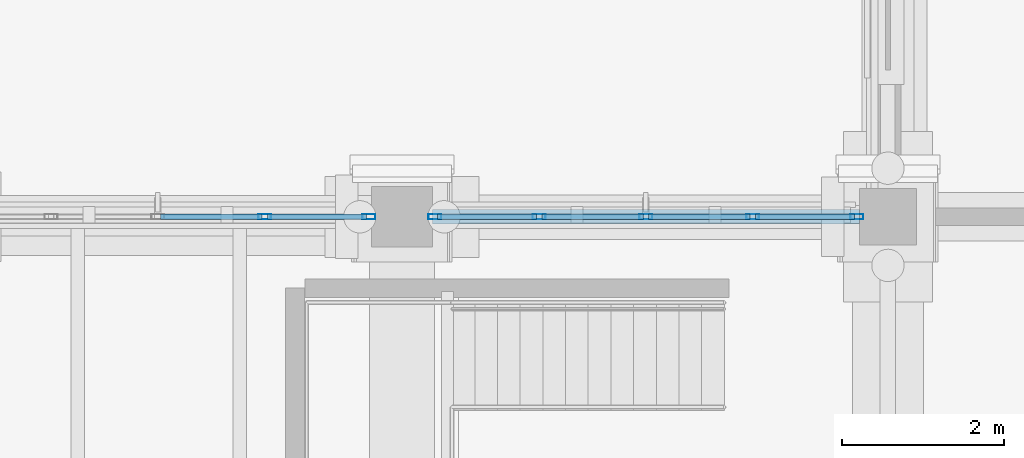
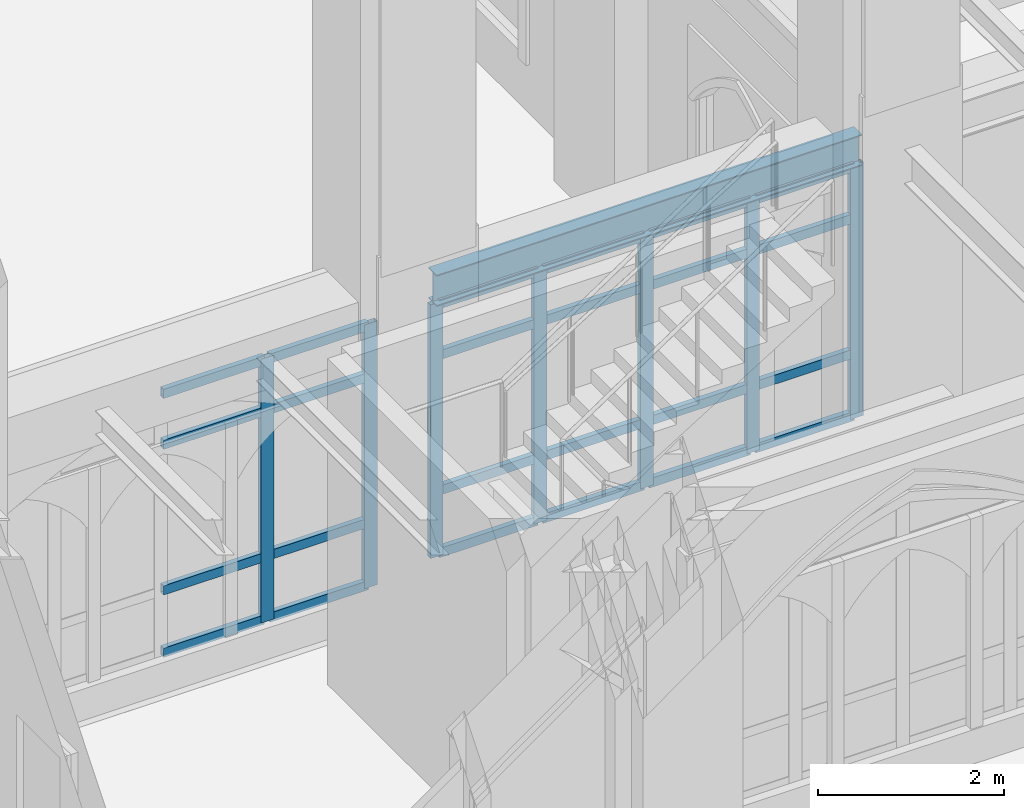
# One storey, part 29 of 135: 31 members, 1 beam, 2 elements without a shape of their own.
"""IFC4 building model written with IfcOpenShell, lengths in metres."""

import ifcopenshell
import ifcopenshell.guid

model = None  # the IFC model being written
_history = None  # IfcOwnerHistory: only IFC2X3 demands one
_inside = {}  # id of a spatial element -> (the spatial element, [elements in it])
_under = {}  # id of a project, library or spatial element -> (it, [spatial elements below it])
_declared = {}  # id of a project -> (the project, [libraries it declares])
_typed = {}  # id of a type object -> (the type object, [elements of that type])
_made_of = {}  # id of a material, layer set ... -> (it, [elements and type objects made of it])


def new_model(schema):
    """Start an empty IFC model of exactly this schema.

    Asked for "IFC4X3", IfcOpenShell would pick the latest addendum, in which some entities
    have other attributes; the version numbers below select the first issue.
    IFC2X3 requires an IfcOwnerHistory on every rooted entity: one is made here for all.
    """
    global model, _history
    if schema == "IFC4X3":
        model = ifcopenshell.file(schema_version=(4, 3, 0, 0))
    else:
        model = ifcopenshell.file(schema=schema)
    _inside.clear()
    _under.clear()
    _declared.clear()
    _typed.clear()
    _made_of.clear()
    _history = None
    if model.schema == "IFC2X3":
        org = make("IfcOrganization", Name="unknown")
        user = make(
            "IfcPersonAndOrganization",
            ThePerson=make("IfcPerson", FamilyName="unknown"),
            TheOrganization=org,
        )
        app = make(
            "IfcApplication",
            ApplicationDeveloper=org,
            Version="unknown",
            ApplicationFullName="unknown",
            ApplicationIdentifier="unknown",
        )
        _history = make(
            "IfcOwnerHistory",
            OwningUser=user,
            OwningApplication=app,
            ChangeAction="ADDED",
            CreationDate=0,
        )
    return model


def make(cls, **values):
    """One entity of the class cls with the attributes given. An attribute that is None is left unset."""
    return model.create_entity(
        cls, **{name: value for name, value in values.items() if value is not None}
    )


def rooted(cls, **values):
    """An entity with a GlobalId (a new one), such as an element, a storey or a relation."""
    return make(cls, GlobalId=ifcopenshell.guid.new(), OwnerHistory=_history, **values)


def si_unit(unit_type, name, prefix=None):
    """IfcSIUnit, for example si_unit("LENGTHUNIT", "METRE", prefix="MILLI")."""
    return make("IfcSIUnit", UnitType=unit_type, Prefix=prefix, Name=name)


def assignment(units):
    """IfcUnitAssignment: the units of a project."""
    return None if units is None else make("IfcUnitAssignment", Units=units)


def point(xyz):
    """IfcCartesianPoint."""
    return None if xyz is None else make("IfcCartesianPoint", Coordinates=xyz)


def direction(xyz):
    """IfcDirection."""
    return None if xyz is None else make("IfcDirection", DirectionRatios=xyz)


def frame(location, z_axis=None, x_axis=None):
    """IfcAxis2Placement3D, a coordinate frame: its origin and axes. An axis left out is left unset."""
    return make(
        "IfcAxis2Placement3D",
        Location=point(location),
        Axis=direction(z_axis),
        RefDirection=direction(x_axis),
    )


def frame_2d(location, x_axis=None):
    """IfcAxis2Placement2D, a coordinate frame in the plane: its origin and x axis."""
    return make(
        "IfcAxis2Placement2D", Location=point(location), RefDirection=direction(x_axis)
    )


def origin():
    """The frame at (0, 0, 0) with its axes left unset."""
    return frame((0.0, 0.0, 0.0))


def origin_2d():
    """The frame at (0, 0) in the plane with its x axis left unset."""
    return frame_2d((0.0, 0.0))


def place(relative_to, where):
    """IfcLocalPlacement: puts the frame where relative to a parent placement (None: the world)."""
    return make(
        "IfcLocalPlacement", PlacementRelTo=relative_to, RelativePlacement=where
    )


def context(
    kind, dimensions, precision=None, world=None, true_north=None, identifier=None
):
    """IfcGeometricRepresentationContext, for example the 3D "Model" context."""
    return make(
        "IfcGeometricRepresentationContext",
        ContextIdentifier=identifier,
        ContextType=kind,
        CoordinateSpaceDimension=dimensions,
        Precision=precision,
        WorldCoordinateSystem=world,
        TrueNorth=true_north,
    )


def subcontext(parent, identifier, kind, view, scale=None):
    """IfcGeometricRepresentationSubContext, for example "Body" below "Model"."""
    return make(
        "IfcGeometricRepresentationSubContext",
        ContextIdentifier=identifier,
        ContextType=kind,
        ParentContext=parent,
        TargetScale=scale,
        TargetView=view,
    )


def project(units=None, contexts=None):
    """IfcProject with its units and contexts."""
    return rooted(
        "IfcProject",
        Name="project",
        RepresentationContexts=contexts,
        UnitsInContext=assignment(units),
    )


def spatial(cls, under=None, at=None, **own):
    """A site, building, storey or space (cls), placed at a placement, below another one or the project."""
    s = rooted(cls, ObjectPlacement=at, **own)
    if under is not None:
        _under.setdefault(under.id(), (under, []))[1].append(s)
    return s


def profile(cls, at=None, kind="AREA", **sizes):
    """A parametric profile (cls). Its sizes go by their IFC names, for example OverallWidth=200.0."""
    return make(cls, ProfileType=kind, Position=at, **sizes)


def hollow_rectangle(**sizes):
    """IfcRectangleHollowProfileDef."""
    return profile("IfcRectangleHollowProfileDef", **sizes)


def i_section(**sizes):
    """IfcIShapeProfileDef."""
    return profile("IfcIShapeProfileDef", **sizes)


def extrude(swept, where, along, depth):
    """IfcExtrudedAreaSolid: the profile swept, set in the frame where, extruded along a direction by depth."""
    return make(
        "IfcExtrudedAreaSolid",
        SweptArea=swept,
        Position=where,
        ExtrudedDirection=direction(along),
        Depth=depth,
    )


def shape(context_of_items, identifier, shape_type, items):
    """IfcShapeRepresentation: the items that make up one representation, for example the "Body"."""
    return make(
        "IfcShapeRepresentation",
        ContextOfItems=context_of_items,
        RepresentationIdentifier=identifier,
        RepresentationType=shape_type,
        Items=items,
    )


def material(Name=None, Category=None):
    """IfcMaterial."""
    return make("IfcMaterial", Name=Name, Category=Category)


def layer(
    of_material, thickness, ventilated=None, Name=None, Category=None, Priority=None
):
    """IfcMaterialLayer: one layer of a wall or slab, of a material (None: an air gap)."""
    return make(
        "IfcMaterialLayer",
        Material=of_material,
        LayerThickness=thickness,
        IsVentilated=ventilated,
        Name=Name,
        Category=Category,
        Priority=Priority,
    )


def layer_set(layers, Name=None):
    """IfcMaterialLayerSet."""
    return make("IfcMaterialLayerSet", MaterialLayers=layers, LayerSetName=Name)


def material_profile(
    of_material, cross_section, Name=None, Category=None, Priority=None
):
    """IfcMaterialProfile: a cross section and its material."""
    return make(
        "IfcMaterialProfile",
        Name=Name,
        Material=of_material,
        Profile=cross_section,
        Priority=Priority,
        Category=Category,
    )


def profile_set(profiles, Name=None, composite=None):
    """IfcMaterialProfileSet."""
    return make(
        "IfcMaterialProfileSet",
        Name=Name,
        MaterialProfiles=profiles,
        CompositeProfile=composite,
    )


def made_of(thing, what):
    """Note that an element or type object is made of a material, layer set ...; save() writes the relation."""
    if what is not None:
        _made_of.setdefault(what.id(), (what, []))[1].append(thing)
    return thing


def type_object(cls, material=None, **own):
    """A type object (cls), such as IfcWallType, which elements share."""
    return made_of(rooted(cls, **own), material)


def element(
    cls,
    number,
    at=None,
    inside=None,
    cuts=None,
    type_object=None,
    material=None,
    context=None,
    identifier="Body",
    shape_type=None,
    held_by="IfcProductDefinitionShape",
    body=None,
    shapes=None,
    **own,
):
    """One element of the class cls, such as IfcWall. Its Tag is "e" and its number.

    at: its placement. inside: the storey or other place that contains it. cuts: it is an
    opening in that element (IfcRelVoidsElement). A single representation is given by context,
    identifier, shape_type and body (its items); several are given by shapes. held_by: the class
    of the entity that holds the representations. save() writes the other relations.
    """
    e = rooted(cls, Tag="e%d" % number, ObjectPlacement=at, **own)
    if body is not None:
        shapes = [shape(context, identifier, shape_type, body)]
    if shapes is not None:
        e.Representation = make(held_by, Representations=shapes)
    if inside is not None:
        _inside.setdefault(inside.id(), (inside, []))[1].append(e)
    if cuts is not None:
        rooted(
            "IfcRelVoidsElement", RelatingBuildingElement=cuts, RelatedOpeningElement=e
        )
    if type_object is not None:
        _typed.setdefault(type_object.id(), (type_object, []))[1].append(e)
    return made_of(e, material)


def aggregate(whole, parts):
    """IfcRelAggregates: a whole, such as a stair, and the parts it consists of."""
    return rooted("IfcRelAggregates", RelatingObject=whole, RelatedObjects=parts)


def save(model, path):
    """Write the relations noted so far, then the file.

    IfcRelAggregates (storeys below a building ...), IfcRelContainedInSpatialStructure (elements
    in a storey), IfcRelDefinesByType, IfcRelAssociatesMaterial and IfcRelDeclares: one each for
    every whole, place, type object, material and project.
    """
    for whole, parts in _under.values():
        aggregate(whole, parts)
    for where, things in _inside.values():
        rooted(
            "IfcRelContainedInSpatialStructure",
            RelatedElements=things,
            RelatingStructure=where,
        )
    for kind, things in _typed.values():
        rooted("IfcRelDefinesByType", RelatedObjects=things, RelatingType=kind)
    for what, things in _made_of.values():
        rooted("IfcRelAssociatesMaterial", RelatedObjects=things, RelatingMaterial=what)
    for by, libraries in _declared.values():
        rooted("IfcRelDeclares", RelatingContext=by, RelatedDefinitions=libraries)
    model.write(path)


model = new_model("IFC4")

# Units and contexts
model_context = context("Model", 3, precision=1e-05, world=origin(), true_north=direction((0.0, 1.0)))
body_context = subcontext(model_context, "Body", "Model", "MODEL_VIEW")
ifc_project = project(units=[si_unit("LENGTHUNIT", "METRE"), si_unit("AREAUNIT", "SQUARE_METRE"), si_unit("VOLUMEUNIT", "CUBIC_METRE"), si_unit("PLANEANGLEUNIT", "RADIAN"), si_unit("MASSUNIT", "GRAM", prefix="KILO")], contexts=[model_context])

# Site, building, storey
site_placement = place(None, origin())
site = spatial("IfcSite", under=ifc_project, at=site_placement, CompositionType="ELEMENT")
building_placement = place(site_placement, origin())
building = spatial("IfcBuilding", under=site, at=building_placement, Name="Cumevento Cable Car Station", CompositionType="ELEMENT")
storey_placement = place(building_placement, origin())
storey = spatial("IfcBuildingStorey", under=building, at=storey_placement, Name="L01", CompositionType="ELEMENT", Elevation=0.0)

# Curtain wall, members
ifc_material_1 = material(Name="Anodised Bronze Aluminium AW-6063-T6", Category="aluminium")
ifc_layer_1 = layer(ifc_material_1, 0.18994140625)
ifc_layer_set_1 = layer_set([ifc_layer_1], Name="Anodised Bronze Aluminium AW-6063-T6")
curtain_wall_type_1 = type_object("IfcCurtainWallType", Name="Lancet Curtain Wall CW-06 1250", PredefinedType="NOTDEFINED", material=ifc_layer_set_1)
curtain_wall_1_placement = place(storey_placement, origin())
curtain_wall_1 = element("IfcCurtainWall", 1, at=curtain_wall_1_placement, inside=storey, type_object=curtain_wall_type_1, Name="Lancet Curtain Wall CW-06 L01 #5", PredefinedType="NOTDEFINED")
ifc_material_2 = material(Name="Anodised Bronze Aluminium AW-6063-T6", Category="aluminium")
ifc_material_profile_1 = material_profile(ifc_material_2, hollow_rectangle(XDim=0.06494140625, YDim=0.159912109375, WallThickness=0.00390625, at=origin_2d()), Name="ALUM65x160x4")
ifc_profile_set_1 = profile_set([ifc_material_profile_1], Name="Anodised Bronze Aluminium AW-6063-T6")
member_type_1 = type_object("IfcMemberType", Name="Curtain Mullion CWM-01 ALUM65x160x4", PredefinedType="MULLION", material=ifc_profile_set_1)
member_1_placement = place(storey_placement, frame((50.30615234375, 9.5, 0.409912109375), z_axis=(0.0, 0.0, 1.0), x_axis=(0.0, 1.0, 0.0)))
member_1 = element("IfcMember", 2, at=member_1_placement, type_object=member_type_1, Name="CW-06 mullion 4", PredefinedType="MULLION", context=body_context, shape_type="SweptSolid", body=[
    extrude(hollow_rectangle(XDim=0.06494140625, YDim=0.159912109375, WallThickness=0.00390625, at=origin_2d()), origin(), (0.0, 0.0, 1.0), 3.458984375),
])
member_2_placement = place(storey_placement, frame((51.592529296875, 9.5, 0.409912109375), z_axis=(0.0, 0.0, 1.0), x_axis=(0.0, 1.0, 0.0)))
member_2 = element("IfcMember", 3, at=member_2_placement, type_object=member_type_1, Name="CW-06 mullion 5", PredefinedType="MULLION", context=body_context, shape_type="SweptSolid", body=[
    extrude(hollow_rectangle(XDim=0.06494140625, YDim=0.159912109375, WallThickness=0.00390625, at=origin_2d()), origin(), (0.0, 0.0, 1.0), 3.458984375),
])

ifc_material_3 = material(Name="Anodised Bronze Aluminium AW-6063-T6", Category="aluminium")
ifc_layer_2 = layer(ifc_material_3, 0.201904296875)
ifc_layer_set_2 = layer_set([ifc_layer_2], Name="Anodised Bronze Aluminium AW-6063-T6")
curtain_wall_type_2 = type_object("IfcCurtainWallType", Name="Lancet Curtain Wall CW-08 1330", PredefinedType="NOTDEFINED", material=ifc_layer_set_2)
curtain_wall_2_placement = place(storey_placement, origin())
curtain_wall_2 = element("IfcCurtainWall", 4, at=curtain_wall_2_placement, inside=storey, type_object=curtain_wall_type_2, Name="Lancet Curtain Wall CW-08 L01 #7", PredefinedType="NOTDEFINED")
member_3_placement = place(storey_placement, frame((52.407470703125, 9.5, 0.52001953125), z_axis=(0.0, 0.0, 1.0), x_axis=(0.0, 1.0, 0.0)))
member_3 = element("IfcMember", 5, at=member_3_placement, type_object=member_type_1, Name="CW-08 mullion 1", PredefinedType="MULLION", context=body_context, shape_type="SweptSolid", body=[
    extrude(hollow_rectangle(XDim=0.06494140625, YDim=0.159912109375, WallThickness=0.00390625, at=origin_2d()), origin(), (0.0, 0.0, 1.0), 3.324951171875),
])
member_4_placement = place(storey_placement, frame((53.69384765625, 9.5, 0.52001953125), z_axis=(0.0, 0.0, 1.0), x_axis=(0.0, 1.0, 0.0)))
member_4 = element("IfcMember", 6, at=member_4_placement, type_object=member_type_1, Name="CW-08 mullion 2", PredefinedType="MULLION", context=body_context, shape_type="SweptSolid", body=[
    extrude(hollow_rectangle(XDim=0.06494140625, YDim=0.159912109375, WallThickness=0.00390625, at=origin_2d()), origin(), (0.0, 0.0, 1.0), 3.324951171875),
])
member_5_placement = place(storey_placement, frame((55.012451171875, 9.5, 0.52001953125), z_axis=(0.0, 0.0, 1.0), x_axis=(0.0, 1.0, 0.0)))
member_5 = element("IfcMember", 7, at=member_5_placement, type_object=member_type_1, Name="CW-08 mullion 3", PredefinedType="MULLION", context=body_context, shape_type="SweptSolid", body=[
    extrude(hollow_rectangle(XDim=0.06494140625, YDim=0.159912109375, WallThickness=0.00390625, at=origin_2d()), origin(), (0.0, 0.0, 1.0), 3.324951171875),
])
member_6_placement = place(storey_placement, frame((56.331298828125, 9.5, 0.52001953125), z_axis=(0.0, 0.0, 1.0), x_axis=(0.0, 1.0, 0.0)))
member_6 = element("IfcMember", 8, at=member_6_placement, type_object=member_type_1, Name="CW-08 mullion 4", PredefinedType="MULLION", context=body_context, shape_type="SweptSolid", body=[
    extrude(hollow_rectangle(XDim=0.06494140625, YDim=0.159912109375, WallThickness=0.00390625, at=origin_2d()), origin(), (0.0, 0.0, 1.0), 3.324951171875),
])
member_7_placement = place(storey_placement, frame((57.617431640625, 9.5, 0.52001953125), z_axis=(0.0, 0.0, 1.0), x_axis=(0.0, 1.0, 0.0)))
member_7 = element("IfcMember", 9, at=member_7_placement, type_object=member_type_1, Name="CW-08 mullion 5", PredefinedType="MULLION", context=body_context, shape_type="SweptSolid", body=[
    extrude(hollow_rectangle(XDim=0.06494140625, YDim=0.159912109375, WallThickness=0.00390625, at=origin_2d()), origin(), (0.0, 0.0, 1.0), 3.324951171875),
])

# Member
ifc_material_4 = material(Name="Anodised Bronze Aluminium AW-6063-T6", Category="aluminium")
ifc_material_profile_2 = material_profile(ifc_material_4, hollow_rectangle(XDim=0.06494140625, YDim=0.1201171875, WallThickness=0.00390625, at=origin_2d()), Name="ALUT65x120x4")
ifc_profile_set_2 = profile_set([ifc_material_profile_2], Name="Anodised Bronze Aluminium AW-6063-T6")
member_type_2 = type_object("IfcMemberType", Name="Curtain Transom CWT-01 ALUT65x120x4", PredefinedType="USERDEFINED", material=ifc_profile_set_2)
member_8_placement = place(storey_placement, frame((49.02001953125, 9.5, 0.4423828125), z_axis=(1.0, 0.0, 0.0), x_axis=(0.0, 1.0, 0.0)))
member_8 = element("IfcMember", 10, at=member_8_placement, type_object=member_type_2, Name="CW-06 transom 3.1", ObjectType="TRANSOM", PredefinedType="USERDEFINED", context=body_context, shape_type="SweptSolid", body=[
    extrude(hollow_rectangle(XDim=0.06494140625, YDim=0.1201171875, WallThickness=0.00390625, at=origin_2d()), origin(), (0.0, 0.0, 1.0), 1.253662109375),
])

member_9_placement = place(storey_placement, frame((49.02001953125, 9.5, 1.260009765625), z_axis=(1.0, 0.0, 0.0), x_axis=(0.0, 1.0, 0.0)))
member_9 = element("IfcMember", 11, at=member_9_placement, type_object=member_type_2, Name="CW-06 transom 3.2", ObjectType="TRANSOM", PredefinedType="USERDEFINED", context=body_context, shape_type="SweptSolid", body=[
    extrude(hollow_rectangle(XDim=0.06494140625, YDim=0.1201171875, WallThickness=0.00390625, at=origin_2d()), origin(), (0.0, 0.0, 1.0), 1.253662109375),
])

member_10_placement = place(storey_placement, frame((49.02001953125, 9.5, 3.1689453125), z_axis=(1.0, 0.0, 0.0), x_axis=(0.0, 1.0, 0.0)))
member_10 = element("IfcMember", 12, at=member_10_placement, type_object=member_type_2, Name="CW-06 transom 3.3", ObjectType="TRANSOM", PredefinedType="USERDEFINED", context=body_context, shape_type="SweptSolid", body=[
    extrude(hollow_rectangle(XDim=0.06494140625, YDim=0.1201171875, WallThickness=0.00390625, at=origin_2d()), origin(), (0.0, 0.0, 1.0), 1.253662109375),
])

member_11_placement = place(storey_placement, frame((49.02001953125, 9.5, 3.83642578125), z_axis=(1.0, 0.0, 0.0), x_axis=(0.0, 1.0, 0.0)))
member_11 = element("IfcMember", 13, at=member_11_placement, type_object=member_type_2, Name="CW-06 transom 3.4", ObjectType="TRANSOM", PredefinedType="USERDEFINED", context=body_context, shape_type="SweptSolid", body=[
    extrude(hollow_rectangle(XDim=0.06494140625, YDim=0.1201171875, WallThickness=0.00390625, at=origin_2d()), origin(), (0.0, 0.0, 1.0), 1.253662109375),
])

member_12_placement = place(storey_placement, frame((50.3388671875, 9.5, 0.4423828125), z_axis=(1.0, 0.0, 0.0), x_axis=(0.0, 1.0, 0.0)))
member_12 = element("IfcMember", 14, at=member_12_placement, type_object=member_type_2, Name="CW-06 transom 4.1", ObjectType="TRANSOM", PredefinedType="USERDEFINED", context=body_context, shape_type="SweptSolid", body=[
    extrude(hollow_rectangle(XDim=0.06494140625, YDim=0.1201171875, WallThickness=0.00390625, at=origin_2d()), origin(), (0.0, 0.0, 1.0), 1.22119140625),
])

member_13_placement = place(storey_placement, frame((50.3388671875, 9.5, 1.260009765625), z_axis=(1.0, 0.0, 0.0), x_axis=(0.0, 1.0, 0.0)))
member_13 = element("IfcMember", 15, at=member_13_placement, type_object=member_type_2, Name="CW-06 transom 4.2", ObjectType="TRANSOM", PredefinedType="USERDEFINED", context=body_context, shape_type="SweptSolid", body=[
    extrude(hollow_rectangle(XDim=0.06494140625, YDim=0.1201171875, WallThickness=0.00390625, at=origin_2d()), origin(), (0.0, 0.0, 1.0), 1.22119140625),
])

member_14_placement = place(storey_placement, frame((50.3388671875, 9.5, 3.1689453125), z_axis=(1.0, 0.0, 0.0), x_axis=(0.0, 1.0, 0.0)))
member_14 = element("IfcMember", 16, at=member_14_placement, type_object=member_type_2, Name="CW-06 transom 4.3", ObjectType="TRANSOM", PredefinedType="USERDEFINED", context=body_context, shape_type="SweptSolid", body=[
    extrude(hollow_rectangle(XDim=0.06494140625, YDim=0.1201171875, WallThickness=0.00390625, at=origin_2d()), origin(), (0.0, 0.0, 1.0), 1.22119140625),
])

member_15_placement = place(storey_placement, frame((50.3388671875, 9.5, 3.83642578125), z_axis=(1.0, 0.0, 0.0), x_axis=(0.0, 1.0, 0.0)))
member_15 = element("IfcMember", 17, at=member_15_placement, type_object=member_type_2, Name="CW-06 transom 4.4", ObjectType="TRANSOM", PredefinedType="USERDEFINED", context=body_context, shape_type="SweptSolid", body=[
    extrude(hollow_rectangle(XDim=0.06494140625, YDim=0.1201171875, WallThickness=0.00390625, at=origin_2d()), origin(), (0.0, 0.0, 1.0), 1.22119140625),
])

aggregate(curtain_wall_1, [member_1, member_2, member_8, member_9, member_10, member_11, member_12, member_13, member_14, member_15])

member_16_placement = place(storey_placement, frame((52.43994140625, 9.5, 0.552490234375), z_axis=(1.0, 0.0, 0.0), x_axis=(0.0, 1.0, 0.0)))
member_16 = element("IfcMember", 18, at=member_16_placement, type_object=member_type_2, Name="CW-08 transom 1.1", ObjectType="TRANSOM", PredefinedType="USERDEFINED", context=body_context, shape_type="SweptSolid", body=[
    extrude(hollow_rectangle(XDim=0.06494140625, YDim=0.1201171875, WallThickness=0.00390625, at=origin_2d()), origin(), (0.0, 0.0, 1.0), 1.22119140625),
])

member_17_placement = place(storey_placement, frame((52.43994140625, 9.5, 1.3701171875), z_axis=(1.0, 0.0, 0.0), x_axis=(0.0, 1.0, 0.0)))
member_17 = element("IfcMember", 19, at=member_17_placement, type_object=member_type_2, Name="CW-08 transom 1.2", ObjectType="TRANSOM", PredefinedType="USERDEFINED", context=body_context, shape_type="SweptSolid", body=[
    extrude(hollow_rectangle(XDim=0.06494140625, YDim=0.1201171875, WallThickness=0.00390625, at=origin_2d()), origin(), (0.0, 0.0, 1.0), 1.22119140625),
])

member_18_placement = place(storey_placement, frame((52.43994140625, 9.5, 3.14501953125), z_axis=(1.0, 0.0, 0.0), x_axis=(0.0, 1.0, 0.0)))
member_18 = element("IfcMember", 20, at=member_18_placement, type_object=member_type_2, Name="CW-08 transom 1.3", ObjectType="TRANSOM", PredefinedType="USERDEFINED", context=body_context, shape_type="SweptSolid", body=[
    extrude(hollow_rectangle(XDim=0.06494140625, YDim=0.1201171875, WallThickness=0.00390625, at=origin_2d()), origin(), (0.0, 0.0, 1.0), 1.22119140625),
])

member_19_placement = place(storey_placement, frame((52.43994140625, 9.5, 3.8125), z_axis=(1.0, 0.0, 0.0), x_axis=(0.0, 1.0, 0.0)))
member_19 = element("IfcMember", 21, at=member_19_placement, type_object=member_type_2, Name="CW-08 transom 1.4", ObjectType="TRANSOM", PredefinedType="USERDEFINED", context=body_context, shape_type="SweptSolid", body=[
    extrude(hollow_rectangle(XDim=0.06494140625, YDim=0.1201171875, WallThickness=0.00390625, at=origin_2d()), origin(), (0.0, 0.0, 1.0), 1.22119140625),
])

member_20_placement = place(storey_placement, frame((53.726318359375, 9.5, 0.552490234375), z_axis=(1.0, 0.0, 0.0), x_axis=(0.0, 1.0, 0.0)))
member_20 = element("IfcMember", 22, at=member_20_placement, type_object=member_type_2, Name="CW-08 transom 2.1", ObjectType="TRANSOM", PredefinedType="USERDEFINED", context=body_context, shape_type="SweptSolid", body=[
    extrude(hollow_rectangle(XDim=0.06494140625, YDim=0.1201171875, WallThickness=0.00390625, at=origin_2d()), origin(), (0.0, 0.0, 1.0), 1.253662109375),
])

member_21_placement = place(storey_placement, frame((53.726318359375, 9.5, 1.3701171875), z_axis=(1.0, 0.0, 0.0), x_axis=(0.0, 1.0, 0.0)))
member_21 = element("IfcMember", 23, at=member_21_placement, type_object=member_type_2, Name="CW-08 transom 2.2", ObjectType="TRANSOM", PredefinedType="USERDEFINED", context=body_context, shape_type="SweptSolid", body=[
    extrude(hollow_rectangle(XDim=0.06494140625, YDim=0.1201171875, WallThickness=0.00390625, at=origin_2d()), origin(), (0.0, 0.0, 1.0), 1.253662109375),
])

member_22_placement = place(storey_placement, frame((53.726318359375, 9.5, 3.14501953125), z_axis=(1.0, 0.0, 0.0), x_axis=(0.0, 1.0, 0.0)))
member_22 = element("IfcMember", 24, at=member_22_placement, type_object=member_type_2, Name="CW-08 transom 2.3", ObjectType="TRANSOM", PredefinedType="USERDEFINED", context=body_context, shape_type="SweptSolid", body=[
    extrude(hollow_rectangle(XDim=0.06494140625, YDim=0.1201171875, WallThickness=0.00390625, at=origin_2d()), origin(), (0.0, 0.0, 1.0), 1.253662109375),
])

member_23_placement = place(storey_placement, frame((53.726318359375, 9.5, 3.8125), z_axis=(1.0, 0.0, 0.0), x_axis=(0.0, 1.0, 0.0)))
member_23 = element("IfcMember", 25, at=member_23_placement, type_object=member_type_2, Name="CW-08 transom 2.4", ObjectType="TRANSOM", PredefinedType="USERDEFINED", context=body_context, shape_type="SweptSolid", body=[
    extrude(hollow_rectangle(XDim=0.06494140625, YDim=0.1201171875, WallThickness=0.00390625, at=origin_2d()), origin(), (0.0, 0.0, 1.0), 1.253662109375),
])

member_24_placement = place(storey_placement, frame((55.044921875, 9.5, 0.552490234375), z_axis=(1.0, 0.0, 0.0), x_axis=(0.0, 1.0, 0.0)))
member_24 = element("IfcMember", 26, at=member_24_placement, type_object=member_type_2, Name="CW-08 transom 3.1", ObjectType="TRANSOM", PredefinedType="USERDEFINED", context=body_context, shape_type="SweptSolid", body=[
    extrude(hollow_rectangle(XDim=0.06494140625, YDim=0.1201171875, WallThickness=0.00390625, at=origin_2d()), origin(), (0.0, 0.0, 1.0), 1.25390625),
])

member_25_placement = place(storey_placement, frame((55.044921875, 9.5, 1.3701171875), z_axis=(1.0, 0.0, 0.0), x_axis=(0.0, 1.0, 0.0)))
member_25 = element("IfcMember", 27, at=member_25_placement, type_object=member_type_2, Name="CW-08 transom 3.2", ObjectType="TRANSOM", PredefinedType="USERDEFINED", context=body_context, shape_type="SweptSolid", body=[
    extrude(hollow_rectangle(XDim=0.06494140625, YDim=0.1201171875, WallThickness=0.00390625, at=origin_2d()), origin(), (0.0, 0.0, 1.0), 1.25390625),
])

member_26_placement = place(storey_placement, frame((55.044921875, 9.5, 3.14501953125), z_axis=(1.0, 0.0, 0.0), x_axis=(0.0, 1.0, 0.0)))
member_26 = element("IfcMember", 28, at=member_26_placement, type_object=member_type_2, Name="CW-08 transom 3.3", ObjectType="TRANSOM", PredefinedType="USERDEFINED", context=body_context, shape_type="SweptSolid", body=[
    extrude(hollow_rectangle(XDim=0.06494140625, YDim=0.1201171875, WallThickness=0.00390625, at=origin_2d()), origin(), (0.0, 0.0, 1.0), 1.25390625),
])

member_27_placement = place(storey_placement, frame((55.044921875, 9.5, 3.8125), z_axis=(1.0, 0.0, 0.0), x_axis=(0.0, 1.0, 0.0)))
member_27 = element("IfcMember", 29, at=member_27_placement, type_object=member_type_2, Name="CW-08 transom 3.4", ObjectType="TRANSOM", PredefinedType="USERDEFINED", context=body_context, shape_type="SweptSolid", body=[
    extrude(hollow_rectangle(XDim=0.06494140625, YDim=0.1201171875, WallThickness=0.00390625, at=origin_2d()), origin(), (0.0, 0.0, 1.0), 1.25390625),
])

member_28_placement = place(storey_placement, frame((56.36376953125, 9.5, 0.552490234375), z_axis=(1.0, 0.0, 0.0), x_axis=(0.0, 1.0, 0.0)))
member_28 = element("IfcMember", 30, at=member_28_placement, type_object=member_type_2, Name="CW-08 transom 4.1", ObjectType="TRANSOM", PredefinedType="USERDEFINED", context=body_context, shape_type="SweptSolid", body=[
    extrude(hollow_rectangle(XDim=0.06494140625, YDim=0.1201171875, WallThickness=0.00390625, at=origin_2d()), origin(), (0.0, 0.0, 1.0), 1.22119140625),
])

member_29_placement = place(storey_placement, frame((56.36376953125, 9.5, 1.3701171875), z_axis=(1.0, 0.0, 0.0), x_axis=(0.0, 1.0, 0.0)))
member_29 = element("IfcMember", 31, at=member_29_placement, type_object=member_type_2, Name="CW-08 transom 4.2", ObjectType="TRANSOM", PredefinedType="USERDEFINED", context=body_context, shape_type="SweptSolid", body=[
    extrude(hollow_rectangle(XDim=0.06494140625, YDim=0.1201171875, WallThickness=0.00390625, at=origin_2d()), origin(), (0.0, 0.0, 1.0), 1.22119140625),
])

member_30_placement = place(storey_placement, frame((56.36376953125, 9.5, 3.14501953125), z_axis=(1.0, 0.0, 0.0), x_axis=(0.0, 1.0, 0.0)))
member_30 = element("IfcMember", 32, at=member_30_placement, type_object=member_type_2, Name="CW-08 transom 4.3", ObjectType="TRANSOM", PredefinedType="USERDEFINED", context=body_context, shape_type="SweptSolid", body=[
    extrude(hollow_rectangle(XDim=0.06494140625, YDim=0.1201171875, WallThickness=0.00390625, at=origin_2d()), origin(), (0.0, 0.0, 1.0), 1.22119140625),
])

member_31_placement = place(storey_placement, frame((56.36376953125, 9.5, 3.8125), z_axis=(1.0, 0.0, 0.0), x_axis=(0.0, 1.0, 0.0)))
member_31 = element("IfcMember", 33, at=member_31_placement, type_object=member_type_2, Name="CW-08 transom 4.4", ObjectType="TRANSOM", PredefinedType="USERDEFINED", context=body_context, shape_type="SweptSolid", body=[
    extrude(hollow_rectangle(XDim=0.06494140625, YDim=0.1201171875, WallThickness=0.00390625, at=origin_2d()), origin(), (0.0, 0.0, 1.0), 1.22119140625),
])

aggregate(curtain_wall_2, [member_3, member_4, member_5, member_6, member_7, member_16, member_17, member_18, member_19, member_20, member_21, member_22, member_23, member_24, member_25, member_26, member_27, member_28, member_29, member_30, member_31])

# Beam
ifc_material_5 = material(Name="Steel ASTM A572 Grade 50", Category="steel")
ifc_material_profile_3 = material_profile(ifc_material_5, i_section(OverallWidth=0.177978515625, OverallDepth=0.406982421875, WebThickness=0.0078125, FlangeThickness=0.0126953125, at=origin_2d()), Name="W410x60.0")
ifc_profile_set_3 = profile_set([ifc_material_profile_3], Name="Steel ASTM A572 Grade 50")
beam_type = type_object("IfcBeamType", Name="Structural Spandrel SP-01 W410x60.0", PredefinedType="SPANDREL", material=ifc_profile_set_3)
beam_placement = place(storey_placement, frame((52.375, 9.5, 4.048583984375), z_axis=(1.0, 0.0, 0.0), x_axis=(0.0, 1.0, 0.0)))
element("IfcBeam", 34, at=beam_placement, inside=storey, type_object=beam_type, Name="Beam SP-01 L01 #30", PredefinedType="SPANDREL", context=body_context, shape_type="SweptSolid", body=[
    extrude(i_section(OverallWidth=0.177978515625, OverallDepth=0.406982421875, WebThickness=0.0078125, FlangeThickness=0.0126953125, at=origin_2d()), origin(), (0.0, 0.0, 1.0), 5.27490234375),
])

save(model, "model.ifc")
